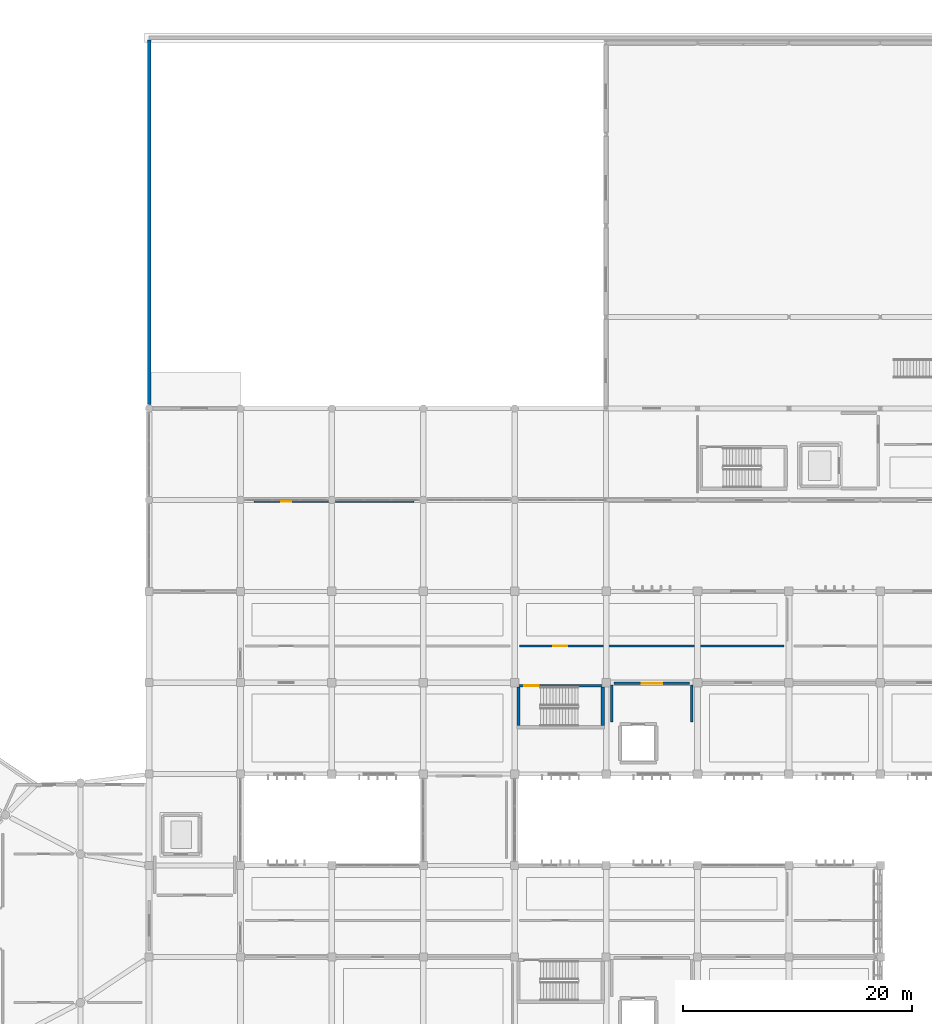
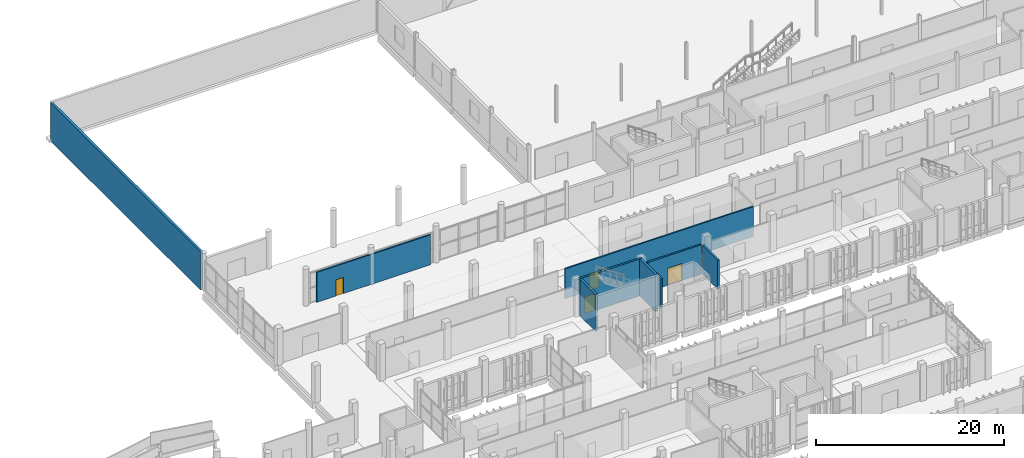
# One storey, part 89 of 117: 9 walls, 4 doors, 4 openings.
"""IFC4 building model written with IfcOpenShell, lengths in metres."""

from ifc_helpers import new_model, si_unit, direction, frame, frame_2d, origin, place, context, subcontext, project, spatial, rectangle, extrude, material, layer, layer_set, type_object, element, fill, save


model = new_model("IFC4")

# Units and contexts
model_context = context("Model", 3, precision=1e-05, world=origin(), true_north=direction((0.0, 1.0)))
body_context = subcontext(model_context, "Body", "Model", "MODEL_VIEW")
ifc_project = project(units=[si_unit("LENGTHUNIT", "METRE"), si_unit("AREAUNIT", "SQUARE_METRE"), si_unit("VOLUMEUNIT", "CUBIC_METRE"), si_unit("PLANEANGLEUNIT", "RADIAN"), si_unit("MASSUNIT", "GRAM", prefix="KILO")], contexts=[model_context])

# Site, building, storey
site_placement = place(None, origin())
site = spatial("IfcSite", under=ifc_project, at=site_placement, CompositionType="ELEMENT")
building_placement = place(site_placement, origin())
building = spatial("IfcBuilding", under=site, at=building_placement, Name="Jelvoka-Kovrelna Polytechnic", CompositionType="ELEMENT")
storey_placement = place(building_placement, origin())
storey = spatial("IfcBuildingStorey", under=building, at=storey_placement, Name="L01", CompositionType="ELEMENT", Elevation=0.0)

# Wall, opening, door
ifc_material_1 = material(Name="Concrete C35/45", Category="concrete")
ifc_layer_1 = layer(ifc_material_1, 0.219970703125)
ifc_layer_set_1 = layer_set([ifc_layer_1], Name="Concrete C35/45")
wall_type_1 = type_object("IfcWallType", Name="Wall_Compartment_220", PredefinedType="PARTITIONING", material=ifc_layer_set_1)
wall_1_placement = place(storey_placement, frame((88.699951171875, 63.949951171875, 0.0), z_axis=(0.0, 0.0, 1.0), x_axis=(1.0, 0.0, 0.0)))
wall_1 = element("IfcWall", 1, at=wall_1_placement, inside=storey, type_object=wall_type_1, Name="L01 interior wall 0268", PredefinedType="PARTITIONING", context=body_context, shape_type="SweptSolid", body=[
    extrude(rectangle(XDim=6.60009765625, YDim=0.219970703125, at=frame_2d((3.300048828125, 0.0))), origin(), (0.0, 0.0, 1.0), 3.81005859375),
])
opening_1_placement = place(wall_1_placement, frame((2.39990234375, 0.0, 0.0)))
opening_1 = element("IfcOpeningElement", 2, at=opening_1_placement, cuts=wall_1, Name="Opening FD-L01-065", PredefinedType="OPENING", context=body_context, shape_type="SweptSolid", body=[
    extrude(rectangle(XDim=1.800048828125, YDim=2.199951171875, at=frame_2d((0.89990234375, 1.10009765625))), frame((0.0, 0.119873046875, 0.0), z_axis=(0.0, -1.0, 0.0), x_axis=(1.0, 0.0, 0.0)), (0.0, 0.0, 1.0), 0.239990234375),
])
ifc_material_2 = material(Name="Paired steel corridor fire door", Category="steel")
door_type_1 = type_object("IfcDoorType", Name="Door_Fire_FD03", OperationType="NOTDEFINED", PredefinedType="DOOR", material=ifc_material_2)
door_1_placement = place(opening_1_placement, origin())
door_1 = element("IfcDoor", 3, at=door_1_placement, inside=storey, type_object=door_type_1, Name="L01 interior door FD-L01-065", OperationType="DOUBLE_DOOR_SINGLE_SWING", OverallHeight=2.199951171875, OverallWidth=1.800048828125, PredefinedType="DOOR", context=body_context, shape_type="SweptSolid", body=[
    extrude(rectangle(XDim=1.800048828125, YDim=2.199951171875, at=frame_2d((0.89990234375, 1.10009765625))), frame((0.0, 0.02490234375, 0.0), z_axis=(0.0, -1.0, 0.0), x_axis=(1.0, 0.0, 0.0)), (0.0, 0.0, 1.0), 0.050048828125),
])
fill(opening_1, door_1)

# Walls
for number, where, z_axis, x_axis, name in (
    (4, (88.5, 60.550048828125, 0.0), (0.0, 0.0, 1.0), (0.0, 1.0, 0.0), "L01 interior wall 0269"),
    (5, (95.5, 60.550048828125, 0.0), (0.0, 0.0, 1.0), (0.0, 1.0, 0.0), "L01 interior wall 0270"),
):
    element("IfcWall", number, at=place(storey_placement, frame(where, z_axis=z_axis, x_axis=x_axis)), inside=storey, type_object=wall_type_1, Name=name, PredefinedType="PARTITIONING", context=body_context, shape_type="SweptSolid", body=[
        extrude(rectangle(XDim=3.25, YDim=0.219970703125, at=frame_2d((1.625, 0.0))), origin(), (0.0, 0.0, 1.0), 3.760009765625),
    ])

# Wall, opening, door
ifc_material_3 = material(Name="Concrete C40/50", Category="concrete")
ifc_layer_2 = layer(ifc_material_3, 0.25)
ifc_layer_set_2 = layer_set([ifc_layer_2], Name="Concrete C40/50")
wall_type_2 = type_object("IfcWallType", Name="Wall_Core_250", PredefinedType="SOLIDWALL", material=ifc_layer_set_2)
wall_2_placement = place(storey_placement, frame((80.199951171875, 63.739990234375, 0.0), z_axis=(0.0, 0.0, 1.0), x_axis=(1.0, 0.0, 0.0)))
wall_2 = element("IfcWall", 6, at=wall_2_placement, inside=storey, type_object=wall_type_2, Name="L01 interior wall 0151", PredefinedType="SOLIDWALL", context=body_context, shape_type="SweptSolid", body=[
    extrude(rectangle(XDim=7.650146484375, YDim=0.25, at=frame_2d((3.8251953125, 0.0))), origin(), (0.0, 0.0, 1.0), 4.800048828125),
])
opening_2_placement = place(wall_2_placement, frame((0.64990234375, 0.0, 0.0)))
opening_2 = element("IfcOpeningElement", 7, at=opening_2_placement, cuts=wall_2, Name="Opening SD-L01-038", PredefinedType="OPENING", context=body_context, shape_type="SweptSolid", body=[
    extrude(rectangle(XDim=1.25, YDim=2.14990234375, at=frame_2d((0.625, 1.074951171875))), frame((0.0, 0.135009765625, 0.0), z_axis=(0.0, -1.0, 0.0), x_axis=(1.0, 0.0, 0.0)), (0.0, 0.0, 1.0), 0.27001953125),
])
ifc_material_4 = material(Name="Powder-coated steel fire door", Category="steel")
door_type_2 = type_object("IfcDoorType", Name="Door_Fire_FD02", OperationType="NOTDEFINED", PredefinedType="DOOR", material=ifc_material_4)
door_2_placement = place(opening_2_placement, origin())
door_2 = element("IfcDoor", 8, at=door_2_placement, inside=storey, type_object=door_type_2, Name="L01 interior door SD-L01-038", OperationType="SINGLE_SWING_LEFT", OverallHeight=2.14990234375, OverallWidth=1.25, PredefinedType="DOOR", context=body_context, shape_type="SweptSolid", body=[
    extrude(rectangle(XDim=1.25, YDim=2.14990234375, at=frame_2d((0.625, 1.074951171875))), frame((0.0, 0.02490234375, 0.0), z_axis=(0.0, -1.0, 0.0), x_axis=(1.0, 0.0, 0.0)), (0.0, 0.0, 1.0), 0.050048828125),
])
fill(opening_2, door_2)

# Wall
wall_3_placement = place(storey_placement, frame((80.324951171875, 60.25, 0.0), z_axis=(0.0, 0.0, 1.0), x_axis=(0.0, 1.0, 0.0)))
element("IfcWall", 9, at=wall_3_placement, inside=storey, type_object=wall_type_2, Name="L01 interior wall 0152", PredefinedType="SOLIDWALL", context=body_context, shape_type="SweptSolid", body=[
    extrude(rectangle(XDim=3.360107421875, YDim=0.25, at=frame_2d((1.68017578125, 0.0))), origin(), (0.0, 0.0, 1.0), 4.800048828125),
])

# Wall, opening, door
ifc_material_5 = material(Name="Autoclaved aerated concrete blockwork", Category="masonry")
ifc_layer_3 = layer(ifc_material_5, 0.179931640625)
ifc_layer_set_3 = layer_set([ifc_layer_3], Name="Autoclaved aerated concrete blockwork")
wall_type_3 = type_object("IfcWallType", Name="Wall_Corridor_180", PredefinedType="PARTITIONING", material=ifc_layer_set_3)
wall_4_placement = place(storey_placement, frame((80.429931640625, 67.199951171875, 0.0), z_axis=(0.0, 0.0, 1.0), x_axis=(1.0, 0.0, 0.0)))
wall_4 = element("IfcWall", 10, at=wall_4_placement, inside=storey, type_object=wall_type_3, Name="L01 interior wall 0893", PredefinedType="PARTITIONING", context=body_context, shape_type="SweptSolid", body=[
    extrude(rectangle(XDim=23.14013671875, YDim=0.179931640625, at=frame_2d((11.570068359375, 0.0))), origin(), (0.0, 0.0, 1.0), 3.89990234375),
])
opening_3_placement = place(wall_4_placement, frame((2.9599609375, 0.0, 0.0)))
opening_3 = element("IfcOpeningElement", 11, at=opening_3_placement, cuts=wall_4, Name="Opening D-L01-185", PredefinedType="OPENING", context=body_context, shape_type="SweptSolid", body=[
    extrude(rectangle(XDim=1.219970703125, YDim=2.179931640625, at=frame_2d((0.60986328125, 1.08984375))), frame((0.0, 0.099853515625, 0.0), z_axis=(0.0, -1.0, 0.0), x_axis=(1.0, 0.0, 0.0)), (0.0, 0.0, 1.0), 0.199951171875),
])
ifc_material_6 = material(Name="Hardwood fire-resisting laboratory door", Category="wood")
door_type_3 = type_object("IfcDoorType", Name="Door_Fire_FD30_04", OperationType="NOTDEFINED", PredefinedType="DOOR", material=ifc_material_6)
door_3_placement = place(opening_3_placement, origin())
door_3 = element("IfcDoor", 12, at=door_3_placement, inside=storey, type_object=door_type_3, Name="L01 interior door D-L01-185", OperationType="SINGLE_SWING_LEFT", OverallHeight=2.179931640625, OverallWidth=1.219970703125, PredefinedType="DOOR", context=body_context, shape_type="SweptSolid", body=[
    extrude(rectangle(XDim=1.219970703125, YDim=2.179931640625, at=frame_2d((0.60986328125, 1.08984375))), frame((0.0, 0.02490234375, 0.0), z_axis=(0.0, -1.0, 0.0), x_axis=(1.0, 0.0, 0.0)), (0.0, 0.0, 1.0), 0.050048828125),
])
fill(opening_3, door_3)

wall_5_placement = place(storey_placement, frame((57.199951171875, 79.85009765625, 0.0), z_axis=(0.0, 0.0, 1.0), x_axis=(1.0, 0.0, 0.0)))
wall_5 = element("IfcWall", 13, at=wall_5_placement, inside=storey, type_object=wall_type_3, Name="L01 interior wall 0920", PredefinedType="PARTITIONING", context=body_context, shape_type="SweptSolid", body=[
    extrude(rectangle(XDim=14.0, YDim=0.179931640625, at=frame_2d((7.0, 0.0))), origin(), (0.0, 0.0, 1.0), 3.89990234375),
])
opening_4_placement = place(wall_5_placement, frame((2.35009765625, 0.0, 0.0)))
opening_4 = element("IfcOpeningElement", 14, at=opening_4_placement, cuts=wall_5, Name="Opening D-L01-204", PredefinedType="OPENING", context=body_context, shape_type="SweptSolid", body=[
    extrude(rectangle(XDim=0.89990234375, YDim=2.10009765625, at=frame_2d((0.449951171875, 1.050048828125))), frame((0.0, 0.099853515625, 0.0), z_axis=(0.0, -1.0, 0.0), x_axis=(1.0, 0.0, 0.0)), (0.0, 0.0, 1.0), 0.199951171875),
])
ifc_material_7 = material(Name="Hardwood solid-core door", Category="wood")
door_type_4 = type_object("IfcDoorType", Name="Door_Int_D01", OperationType="NOTDEFINED", PredefinedType="DOOR", material=ifc_material_7)
door_4_placement = place(opening_4_placement, origin())
door_4 = element("IfcDoor", 15, at=door_4_placement, inside=storey, type_object=door_type_4, Name="L01 interior door D-L01-204", OperationType="SINGLE_SWING_LEFT", OverallHeight=2.10009765625, OverallWidth=0.89990234375, PredefinedType="DOOR", context=body_context, shape_type="SweptSolid", body=[
    extrude(rectangle(XDim=0.89990234375, YDim=2.10009765625, at=frame_2d((0.449951171875, 1.050048828125))), frame((0.0, 0.02490234375, 0.0), z_axis=(0.0, -1.0, 0.0), x_axis=(1.0, 0.0, 0.0)), (0.0, 0.0, 1.0), 0.050048828125),
])
fill(opening_4, door_4)

# Walls
ifc_material_8 = material(Name="Precast concrete C40/50", Category="concrete")
ifc_layer_4 = layer(ifc_material_8, 0.300048828125)
ifc_layer_set_4 = layer_set([ifc_layer_4], Name="Precast concrete C40/50")
wall_type_4 = type_object("IfcWallType", Name="Wall_Ext_White_300", PredefinedType="STANDARD", material=ifc_layer_set_4)
wall_6_placement = place(storey_placement, frame((48.0, 88.35009765625, -0.35009765625), z_axis=(0.0, 0.0, 1.0), x_axis=(0.0, 1.0, 0.0)))
element("IfcWall", 16, at=wall_6_placement, inside=storey, type_object=wall_type_4, Name="L01 exterior wall 0860", PredefinedType="PARAPET", context=body_context, shape_type="SweptSolid", body=[
    extrude(rectangle(XDim=31.909912109375, YDim=0.300048828125, at=frame_2d((15.955078125, 0.0))), origin(), (0.0, 0.0, 1.0), 5.0),
])
ifc_material_9 = material(Name="Concrete C40/50", Category="concrete")
ifc_layer_5 = layer(ifc_material_9, 0.300048828125)
ifc_layer_set_5 = layer_set([ifc_layer_5], Name="Concrete C40/50")
wall_type_5 = type_object("IfcWallType", Name="Wall_Shear_300", PredefinedType="SHEAR", material=ifc_layer_set_5)
wall_7_placement = place(storey_placement, frame((87.7099609375, 60.25, 0.0), z_axis=(0.0, 0.0, 1.0), x_axis=(0.0, 1.0, 0.0)))
element("IfcWall", 17, at=wall_7_placement, inside=storey, type_object=wall_type_5, Name="L01 interior wall 0150", PredefinedType="SHEAR", context=body_context, shape_type="SweptSolid", body=[
    extrude(rectangle(XDim=3.360107421875, YDim=0.300048828125, at=frame_2d((1.68017578125, 0.0))), origin(), (0.0, 0.0, 1.0), 4.800048828125),
])

save(model, "model.ifc")
